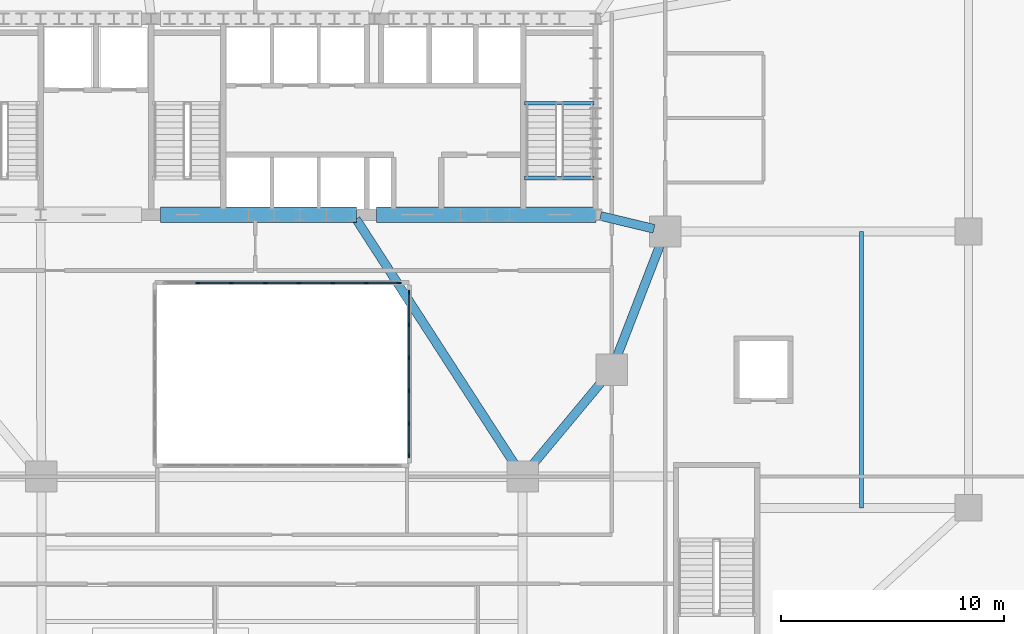
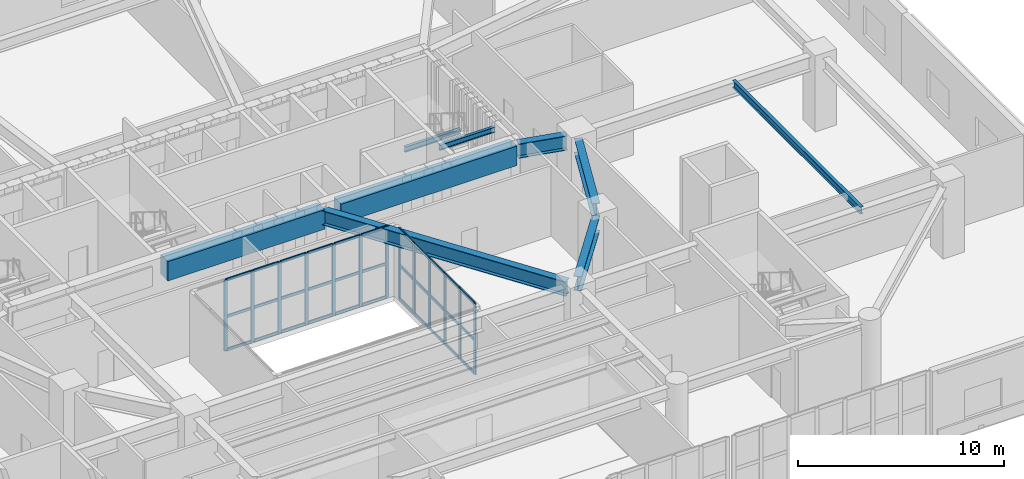
# One storey, part 7 of 25: 46 members, 9 beams, 2 elements without a shape of their own.
"""IFC4 building model written with IfcOpenShell, lengths in metres."""

from ifc_helpers import new_model, si_unit, direction, frame, origin, origin_2d, place, context, subcontext, project, spatial, rectangle, i_section, extrude, material, material_profile, profile_set, type_object, element, aggregate, save


model = new_model("IFC4")

# Units and contexts
model_context = context("Model", 3, precision=1e-05, world=origin(), true_north=direction((0.0, 1.0)))
body_context = subcontext(model_context, "Body", "Model", "MODEL_VIEW")
ifc_project = project(units=[si_unit("LENGTHUNIT", "METRE"), si_unit("AREAUNIT", "SQUARE_METRE"), si_unit("VOLUMEUNIT", "CUBIC_METRE"), si_unit("PLANEANGLEUNIT", "RADIAN"), si_unit("MASSUNIT", "GRAM", prefix="KILO")], contexts=[model_context])

# Site, building, storey
site_placement = place(None, origin())
site = spatial("IfcSite", under=ifc_project, at=site_placement, CompositionType="ELEMENT")
building_placement = place(site_placement, origin())
building = spatial("IfcBuilding", under=site, at=building_placement, Name="Haldorwick Loom Tower", CompositionType="ELEMENT")
storey_placement = place(building_placement, frame((0.0, 0.0, 6.0)))
storey = spatial("IfcBuildingStorey", under=building, at=storey_placement, Name="L01", CompositionType="ELEMENT", Elevation=6.0)

# Curtain wall, members
ifc_material_1 = material(Name="Thermally Broken Anodized Aluminium Curtain Wall Framing", Category="aluminium")
curtain_wall_type = type_object("IfcCurtainWallType", Name="ARC-CW-03", PredefinedType="NOTDEFINED", material=ifc_material_1)
curtain_wall_1_placement = place(storey_placement, origin())
curtain_wall_1 = element("IfcCurtainWall", 1, at=curtain_wall_1_placement, inside=storey, type_object=curtain_wall_type, Name="L01 Atrium Glazed Screen N", PredefinedType="NOTDEFINED")
ifc_material_profile_1 = material_profile(ifc_material_1, rectangle(XDim=0.06591796875, YDim=0.18505859375, at=origin_2d()), Name="ALU_MUL_66X185", Category="aluminium")
ifc_profile_set_1 = profile_set([ifc_material_profile_1], Name="Thermally Broken Anodized Aluminium Curtain Wall Framing")
member_type_1 = type_object("IfcMemberType", Name="ARC-CWM-03", PredefinedType="MULLION", material=ifc_profile_set_1)
member_1_placement = place(storey_placement, frame((32.21435546875, 23.699951171875, 0.0), z_axis=(0.0, 0.0, 1.0), x_axis=(0.0, 1.0, 0.0)))
member_1 = element("IfcMember", 2, at=member_1_placement, type_object=member_type_1, Name="CW-03 mullion 2", PredefinedType="MULLION", context=body_context, shape_type="SweptSolid", body=[
    extrude(rectangle(XDim=0.06591796875, YDim=0.18505859375, at=origin_2d()), origin(), (0.0, 0.0, 1.0), 4.199951171875),
])
member_2_placement = place(storey_placement, frame((33.728515625, 23.699951171875, 0.0), z_axis=(0.0, 0.0, 1.0), x_axis=(0.0, 1.0, 0.0)))
member_2 = element("IfcMember", 3, at=member_2_placement, type_object=member_type_1, Name="CW-03 mullion 3", PredefinedType="MULLION", context=body_context, shape_type="SweptSolid", body=[
    extrude(rectangle(XDim=0.06591796875, YDim=0.18505859375, at=origin_2d()), origin(), (0.0, 0.0, 1.0), 4.199951171875),
])
member_3_placement = place(storey_placement, frame((35.242919921875, 23.699951171875, 0.0), z_axis=(0.0, 0.0, 1.0), x_axis=(0.0, 1.0, 0.0)))
member_3 = element("IfcMember", 4, at=member_3_placement, type_object=member_type_1, Name="CW-03 mullion 4", PredefinedType="MULLION", context=body_context, shape_type="SweptSolid", body=[
    extrude(rectangle(XDim=0.06591796875, YDim=0.18505859375, at=origin_2d()), origin(), (0.0, 0.0, 1.0), 4.199951171875),
])
member_4_placement = place(storey_placement, frame((36.757080078125, 23.699951171875, 0.0), z_axis=(0.0, 0.0, 1.0), x_axis=(0.0, 1.0, 0.0)))
member_4 = element("IfcMember", 5, at=member_4_placement, type_object=member_type_1, Name="CW-03 mullion 5", PredefinedType="MULLION", context=body_context, shape_type="SweptSolid", body=[
    extrude(rectangle(XDim=0.06591796875, YDim=0.18505859375, at=origin_2d()), origin(), (0.0, 0.0, 1.0), 4.199951171875),
])
member_5_placement = place(storey_placement, frame((38.271484375, 23.699951171875, 0.0), z_axis=(0.0, 0.0, 1.0), x_axis=(0.0, 1.0, 0.0)))
member_5 = element("IfcMember", 6, at=member_5_placement, type_object=member_type_1, Name="CW-03 mullion 6", PredefinedType="MULLION", context=body_context, shape_type="SweptSolid", body=[
    extrude(rectangle(XDim=0.06591796875, YDim=0.18505859375, at=origin_2d()), origin(), (0.0, 0.0, 1.0), 4.199951171875),
])
member_6_placement = place(storey_placement, frame((39.78564453125, 23.699951171875, 0.0), z_axis=(0.0, 0.0, 1.0), x_axis=(0.0, 1.0, 0.0)))
member_6 = element("IfcMember", 7, at=member_6_placement, type_object=member_type_1, Name="CW-03 mullion 7", PredefinedType="MULLION", context=body_context, shape_type="SweptSolid", body=[
    extrude(rectangle(XDim=0.06591796875, YDim=0.18505859375, at=origin_2d()), origin(), (0.0, 0.0, 1.0), 4.199951171875),
])
member_7_placement = place(storey_placement, frame((41.26708984375, 23.699951171875, 0.0), z_axis=(0.0, 0.0, 1.0), x_axis=(0.0, 1.0, 0.0)))
member_7 = element("IfcMember", 8, at=member_7_placement, type_object=member_type_1, Name="CW-03 mullion 8", PredefinedType="MULLION", context=body_context, shape_type="SweptSolid", body=[
    extrude(rectangle(XDim=0.06591796875, YDim=0.18505859375, at=origin_2d()), origin(), (0.0, 0.0, 1.0), 4.199951171875),
])

curtain_wall_2_placement = place(storey_placement, origin())
curtain_wall_2 = element("IfcCurtainWall", 9, at=curtain_wall_2_placement, inside=storey, type_object=curtain_wall_type, Name="L01 Atrium Glazed Screen E", PredefinedType="NOTDEFINED")
member_8_placement = place(storey_placement, frame((41.699951171875, 23.26708984375, 0.0), z_axis=(0.0, 0.0, 1.0), x_axis=(1.0, 0.0, 0.0)))
member_8 = element("IfcMember", 10, at=member_8_placement, type_object=member_type_1, Name="CW-03 mullion 1", PredefinedType="MULLION", context=body_context, shape_type="SweptSolid", body=[
    extrude(rectangle(XDim=0.06591796875, YDim=0.18505859375, at=origin_2d()), origin(), (0.0, 0.0, 1.0), 4.199951171875),
])
member_9_placement = place(storey_placement, frame((41.699951171875, 21.820068359375, 0.0), z_axis=(0.0, 0.0, 1.0), x_axis=(1.0, 0.0, 0.0)))
member_9 = element("IfcMember", 11, at=member_9_placement, type_object=member_type_1, Name="CW-03 mullion 2", PredefinedType="MULLION", context=body_context, shape_type="SweptSolid", body=[
    extrude(rectangle(XDim=0.06591796875, YDim=0.18505859375, at=origin_2d()), origin(), (0.0, 0.0, 1.0), 4.199951171875),
])
member_10_placement = place(storey_placement, frame((41.699951171875, 20.340087890625, 0.0), z_axis=(0.0, 0.0, 1.0), x_axis=(1.0, 0.0, 0.0)))
member_10 = element("IfcMember", 12, at=member_10_placement, type_object=member_type_1, Name="CW-03 mullion 3", PredefinedType="MULLION", context=body_context, shape_type="SweptSolid", body=[
    extrude(rectangle(XDim=0.06591796875, YDim=0.18505859375, at=origin_2d()), origin(), (0.0, 0.0, 1.0), 4.199951171875),
])
member_11_placement = place(storey_placement, frame((41.699951171875, 18.860107421875, 0.0), z_axis=(0.0, 0.0, 1.0), x_axis=(1.0, 0.0, 0.0)))
member_11 = element("IfcMember", 13, at=member_11_placement, type_object=member_type_1, Name="CW-03 mullion 4", PredefinedType="MULLION", context=body_context, shape_type="SweptSolid", body=[
    extrude(rectangle(XDim=0.06591796875, YDim=0.18505859375, at=origin_2d()), origin(), (0.0, 0.0, 1.0), 4.199951171875),
])
member_12_placement = place(storey_placement, frame((41.699951171875, 17.3798828125, 0.0), z_axis=(0.0, 0.0, 1.0), x_axis=(1.0, 0.0, 0.0)))
member_12 = element("IfcMember", 14, at=member_12_placement, type_object=member_type_1, Name="CW-03 mullion 5", PredefinedType="MULLION", context=body_context, shape_type="SweptSolid", body=[
    extrude(rectangle(XDim=0.06591796875, YDim=0.18505859375, at=origin_2d()), origin(), (0.0, 0.0, 1.0), 4.199951171875),
])
member_13_placement = place(storey_placement, frame((41.699951171875, 15.93310546875, 0.0), z_axis=(0.0, 0.0, 1.0), x_axis=(1.0, 0.0, 0.0)))
member_13 = element("IfcMember", 15, at=member_13_placement, type_object=member_type_1, Name="CW-03 mullion 6", PredefinedType="MULLION", context=body_context, shape_type="SweptSolid", body=[
    extrude(rectangle(XDim=0.06591796875, YDim=0.18505859375, at=origin_2d()), origin(), (0.0, 0.0, 1.0), 4.199951171875),
])

# Member
ifc_material_profile_2 = material_profile(ifc_material_1, rectangle(XDim=0.06591796875, YDim=0.1650390625, at=origin_2d()), Name="ALU_TRN_66X165", Category="aluminium")
ifc_profile_set_2 = profile_set([ifc_material_profile_2], Name="Thermally Broken Anodized Aluminium Curtain Wall Framing")
member_type_2 = type_object("IfcMemberType", Name="ARC-CWT-03", PredefinedType="USERDEFINED", material=ifc_profile_set_2)
member_14_placement = place(storey_placement, frame((32.247314453125, 23.699951171875, 0.032958984375), z_axis=(1.0, 0.0, 0.0), x_axis=(0.0, 1.0, 0.0)))
member_14 = element("IfcMember", 16, at=member_14_placement, type_object=member_type_2, Name="CW-03 transom 2.1", ObjectType="TRANSOM", PredefinedType="USERDEFINED", context=body_context, shape_type="SweptSolid", body=[
    extrude(rectangle(XDim=0.06591796875, YDim=0.1650390625, at=origin_2d()), origin(), (0.0, 0.0, 1.0), 1.4482421875),
])

member_15_placement = place(storey_placement, frame((32.247314453125, 23.699951171875, 2.0), z_axis=(1.0, 0.0, 0.0), x_axis=(0.0, 1.0, 0.0)))
member_15 = element("IfcMember", 17, at=member_15_placement, type_object=member_type_2, Name="CW-03 transom 2.2", ObjectType="TRANSOM", PredefinedType="USERDEFINED", context=body_context, shape_type="SweptSolid", body=[
    extrude(rectangle(XDim=0.06591796875, YDim=0.1650390625, at=origin_2d()), origin(), (0.0, 0.0, 1.0), 1.4482421875),
])

member_16_placement = place(storey_placement, frame((32.247314453125, 23.699951171875, 4.1669921875), z_axis=(1.0, 0.0, 0.0), x_axis=(0.0, 1.0, 0.0)))
member_16 = element("IfcMember", 18, at=member_16_placement, type_object=member_type_2, Name="CW-03 transom 2.3", ObjectType="TRANSOM", PredefinedType="USERDEFINED", context=body_context, shape_type="SweptSolid", body=[
    extrude(rectangle(XDim=0.06591796875, YDim=0.1650390625, at=origin_2d()), origin(), (0.0, 0.0, 1.0), 1.4482421875),
])

member_17_placement = place(storey_placement, frame((33.761474609375, 23.699951171875, 0.032958984375), z_axis=(1.0, 0.0, 0.0), x_axis=(0.0, 1.0, 0.0)))
member_17 = element("IfcMember", 19, at=member_17_placement, type_object=member_type_2, Name="CW-03 transom 3.1", ObjectType="TRANSOM", PredefinedType="USERDEFINED", context=body_context, shape_type="SweptSolid", body=[
    extrude(rectangle(XDim=0.06591796875, YDim=0.1650390625, at=origin_2d()), origin(), (0.0, 0.0, 1.0), 1.448486328125),
])

member_18_placement = place(storey_placement, frame((33.761474609375, 23.699951171875, 2.0), z_axis=(1.0, 0.0, 0.0), x_axis=(0.0, 1.0, 0.0)))
member_18 = element("IfcMember", 20, at=member_18_placement, type_object=member_type_2, Name="CW-03 transom 3.2", ObjectType="TRANSOM", PredefinedType="USERDEFINED", context=body_context, shape_type="SweptSolid", body=[
    extrude(rectangle(XDim=0.06591796875, YDim=0.1650390625, at=origin_2d()), origin(), (0.0, 0.0, 1.0), 1.448486328125),
])

member_19_placement = place(storey_placement, frame((33.761474609375, 23.699951171875, 4.1669921875), z_axis=(1.0, 0.0, 0.0), x_axis=(0.0, 1.0, 0.0)))
member_19 = element("IfcMember", 21, at=member_19_placement, type_object=member_type_2, Name="CW-03 transom 3.3", ObjectType="TRANSOM", PredefinedType="USERDEFINED", context=body_context, shape_type="SweptSolid", body=[
    extrude(rectangle(XDim=0.06591796875, YDim=0.1650390625, at=origin_2d()), origin(), (0.0, 0.0, 1.0), 1.448486328125),
])

member_20_placement = place(storey_placement, frame((35.27587890625, 23.699951171875, 0.032958984375), z_axis=(1.0, 0.0, 0.0), x_axis=(0.0, 1.0, 0.0)))
member_20 = element("IfcMember", 22, at=member_20_placement, type_object=member_type_2, Name="CW-03 transom 4.1", ObjectType="TRANSOM", PredefinedType="USERDEFINED", context=body_context, shape_type="SweptSolid", body=[
    extrude(rectangle(XDim=0.06591796875, YDim=0.1650390625, at=origin_2d()), origin(), (0.0, 0.0, 1.0), 1.4482421875),
])

member_21_placement = place(storey_placement, frame((35.27587890625, 23.699951171875, 2.0), z_axis=(1.0, 0.0, 0.0), x_axis=(0.0, 1.0, 0.0)))
member_21 = element("IfcMember", 23, at=member_21_placement, type_object=member_type_2, Name="CW-03 transom 4.2", ObjectType="TRANSOM", PredefinedType="USERDEFINED", context=body_context, shape_type="SweptSolid", body=[
    extrude(rectangle(XDim=0.06591796875, YDim=0.1650390625, at=origin_2d()), origin(), (0.0, 0.0, 1.0), 1.4482421875),
])

member_22_placement = place(storey_placement, frame((35.27587890625, 23.699951171875, 4.1669921875), z_axis=(1.0, 0.0, 0.0), x_axis=(0.0, 1.0, 0.0)))
member_22 = element("IfcMember", 24, at=member_22_placement, type_object=member_type_2, Name="CW-03 transom 4.3", ObjectType="TRANSOM", PredefinedType="USERDEFINED", context=body_context, shape_type="SweptSolid", body=[
    extrude(rectangle(XDim=0.06591796875, YDim=0.1650390625, at=origin_2d()), origin(), (0.0, 0.0, 1.0), 1.4482421875),
])

member_23_placement = place(storey_placement, frame((36.7900390625, 23.699951171875, 0.032958984375), z_axis=(1.0, 0.0, 0.0), x_axis=(0.0, 1.0, 0.0)))
member_23 = element("IfcMember", 25, at=member_23_placement, type_object=member_type_2, Name="CW-03 transom 5.1", ObjectType="TRANSOM", PredefinedType="USERDEFINED", context=body_context, shape_type="SweptSolid", body=[
    extrude(rectangle(XDim=0.06591796875, YDim=0.1650390625, at=origin_2d()), origin(), (0.0, 0.0, 1.0), 1.448486328125),
])

member_24_placement = place(storey_placement, frame((36.7900390625, 23.699951171875, 2.0), z_axis=(1.0, 0.0, 0.0), x_axis=(0.0, 1.0, 0.0)))
member_24 = element("IfcMember", 26, at=member_24_placement, type_object=member_type_2, Name="CW-03 transom 5.2", ObjectType="TRANSOM", PredefinedType="USERDEFINED", context=body_context, shape_type="SweptSolid", body=[
    extrude(rectangle(XDim=0.06591796875, YDim=0.1650390625, at=origin_2d()), origin(), (0.0, 0.0, 1.0), 1.448486328125),
])

member_25_placement = place(storey_placement, frame((36.7900390625, 23.699951171875, 4.1669921875), z_axis=(1.0, 0.0, 0.0), x_axis=(0.0, 1.0, 0.0)))
member_25 = element("IfcMember", 27, at=member_25_placement, type_object=member_type_2, Name="CW-03 transom 5.3", ObjectType="TRANSOM", PredefinedType="USERDEFINED", context=body_context, shape_type="SweptSolid", body=[
    extrude(rectangle(XDim=0.06591796875, YDim=0.1650390625, at=origin_2d()), origin(), (0.0, 0.0, 1.0), 1.448486328125),
])

member_26_placement = place(storey_placement, frame((38.304443359375, 23.699951171875, 0.032958984375), z_axis=(1.0, 0.0, 0.0), x_axis=(0.0, 1.0, 0.0)))
member_26 = element("IfcMember", 28, at=member_26_placement, type_object=member_type_2, Name="CW-03 transom 6.1", ObjectType="TRANSOM", PredefinedType="USERDEFINED", context=body_context, shape_type="SweptSolid", body=[
    extrude(rectangle(XDim=0.06591796875, YDim=0.1650390625, at=origin_2d()), origin(), (0.0, 0.0, 1.0), 1.4482421875),
])

member_27_placement = place(storey_placement, frame((38.304443359375, 23.699951171875, 2.0), z_axis=(1.0, 0.0, 0.0), x_axis=(0.0, 1.0, 0.0)))
member_27 = element("IfcMember", 29, at=member_27_placement, type_object=member_type_2, Name="CW-03 transom 6.2", ObjectType="TRANSOM", PredefinedType="USERDEFINED", context=body_context, shape_type="SweptSolid", body=[
    extrude(rectangle(XDim=0.06591796875, YDim=0.1650390625, at=origin_2d()), origin(), (0.0, 0.0, 1.0), 1.4482421875),
])

member_28_placement = place(storey_placement, frame((38.304443359375, 23.699951171875, 4.1669921875), z_axis=(1.0, 0.0, 0.0), x_axis=(0.0, 1.0, 0.0)))
member_28 = element("IfcMember", 30, at=member_28_placement, type_object=member_type_2, Name="CW-03 transom 6.3", ObjectType="TRANSOM", PredefinedType="USERDEFINED", context=body_context, shape_type="SweptSolid", body=[
    extrude(rectangle(XDim=0.06591796875, YDim=0.1650390625, at=origin_2d()), origin(), (0.0, 0.0, 1.0), 1.4482421875),
])

member_29_placement = place(storey_placement, frame((39.818603515625, 23.699951171875, 0.032958984375), z_axis=(1.0, 0.0, 0.0), x_axis=(0.0, 1.0, 0.0)))
member_29 = element("IfcMember", 31, at=member_29_placement, type_object=member_type_2, Name="CW-03 transom 7.1", ObjectType="TRANSOM", PredefinedType="USERDEFINED", context=body_context, shape_type="SweptSolid", body=[
    extrude(rectangle(XDim=0.06591796875, YDim=0.1650390625, at=origin_2d()), origin(), (0.0, 0.0, 1.0), 1.415283203125),
])

member_30_placement = place(storey_placement, frame((39.818603515625, 23.699951171875, 2.0), z_axis=(1.0, 0.0, 0.0), x_axis=(0.0, 1.0, 0.0)))
member_30 = element("IfcMember", 32, at=member_30_placement, type_object=member_type_2, Name="CW-03 transom 7.2", ObjectType="TRANSOM", PredefinedType="USERDEFINED", context=body_context, shape_type="SweptSolid", body=[
    extrude(rectangle(XDim=0.06591796875, YDim=0.1650390625, at=origin_2d()), origin(), (0.0, 0.0, 1.0), 1.415283203125),
])

member_31_placement = place(storey_placement, frame((39.818603515625, 23.699951171875, 4.1669921875), z_axis=(1.0, 0.0, 0.0), x_axis=(0.0, 1.0, 0.0)))
member_31 = element("IfcMember", 33, at=member_31_placement, type_object=member_type_2, Name="CW-03 transom 7.3", ObjectType="TRANSOM", PredefinedType="USERDEFINED", context=body_context, shape_type="SweptSolid", body=[
    extrude(rectangle(XDim=0.06591796875, YDim=0.1650390625, at=origin_2d()), origin(), (0.0, 0.0, 1.0), 1.415283203125),
])

aggregate(curtain_wall_1, [member_1, member_2, member_3, member_4, member_5, member_6, member_7, member_14, member_15, member_16, member_17, member_18, member_19, member_20, member_21, member_22, member_23, member_24, member_25, member_26, member_27, member_28, member_29, member_30, member_31])

member_32_placement = place(storey_placement, frame((41.699951171875, 23.23388671875, 0.032958984375), z_axis=(0.0, -1.0, 0.0), x_axis=(1.0, 0.0, 0.0)))
member_32 = element("IfcMember", 34, at=member_32_placement, type_object=member_type_2, Name="CW-03 transom 1.1", ObjectType="TRANSOM", PredefinedType="USERDEFINED", context=body_context, shape_type="SweptSolid", body=[
    extrude(rectangle(XDim=0.06591796875, YDim=0.1650390625, at=origin_2d()), origin(), (0.0, 0.0, 1.0), 1.380859375),
])

member_33_placement = place(storey_placement, frame((41.699951171875, 23.23388671875, 2.0), z_axis=(0.0, -1.0, 0.0), x_axis=(1.0, 0.0, 0.0)))
member_33 = element("IfcMember", 35, at=member_33_placement, type_object=member_type_2, Name="CW-03 transom 1.2", ObjectType="TRANSOM", PredefinedType="USERDEFINED", context=body_context, shape_type="SweptSolid", body=[
    extrude(rectangle(XDim=0.06591796875, YDim=0.1650390625, at=origin_2d()), origin(), (0.0, 0.0, 1.0), 1.380859375),
])

member_34_placement = place(storey_placement, frame((41.699951171875, 23.23388671875, 4.1669921875), z_axis=(0.0, -1.0, 0.0), x_axis=(1.0, 0.0, 0.0)))
member_34 = element("IfcMember", 36, at=member_34_placement, type_object=member_type_2, Name="CW-03 transom 1.3", ObjectType="TRANSOM", PredefinedType="USERDEFINED", context=body_context, shape_type="SweptSolid", body=[
    extrude(rectangle(XDim=0.06591796875, YDim=0.1650390625, at=origin_2d()), origin(), (0.0, 0.0, 1.0), 1.380859375),
])

member_35_placement = place(storey_placement, frame((41.699951171875, 21.787109375, 0.032958984375), z_axis=(0.0, -1.0, 0.0), x_axis=(1.0, 0.0, 0.0)))
member_35 = element("IfcMember", 37, at=member_35_placement, type_object=member_type_2, Name="CW-03 transom 2.1", ObjectType="TRANSOM", PredefinedType="USERDEFINED", context=body_context, shape_type="SweptSolid", body=[
    extrude(rectangle(XDim=0.06591796875, YDim=0.1650390625, at=origin_2d()), origin(), (0.0, 0.0, 1.0), 1.4140625),
])

member_36_placement = place(storey_placement, frame((41.699951171875, 21.787109375, 2.0), z_axis=(0.0, -1.0, 0.0), x_axis=(1.0, 0.0, 0.0)))
member_36 = element("IfcMember", 38, at=member_36_placement, type_object=member_type_2, Name="CW-03 transom 2.2", ObjectType="TRANSOM", PredefinedType="USERDEFINED", context=body_context, shape_type="SweptSolid", body=[
    extrude(rectangle(XDim=0.06591796875, YDim=0.1650390625, at=origin_2d()), origin(), (0.0, 0.0, 1.0), 1.4140625),
])

member_37_placement = place(storey_placement, frame((41.699951171875, 21.787109375, 4.1669921875), z_axis=(0.0, -1.0, 0.0), x_axis=(1.0, 0.0, 0.0)))
member_37 = element("IfcMember", 39, at=member_37_placement, type_object=member_type_2, Name="CW-03 transom 2.3", ObjectType="TRANSOM", PredefinedType="USERDEFINED", context=body_context, shape_type="SweptSolid", body=[
    extrude(rectangle(XDim=0.06591796875, YDim=0.1650390625, at=origin_2d()), origin(), (0.0, 0.0, 1.0), 1.4140625),
])

member_38_placement = place(storey_placement, frame((41.699951171875, 20.306884765625, 0.032958984375), z_axis=(0.0, -1.0, 0.0), x_axis=(1.0, 0.0, 0.0)))
member_38 = element("IfcMember", 40, at=member_38_placement, type_object=member_type_2, Name="CW-03 transom 3.1", ObjectType="TRANSOM", PredefinedType="USERDEFINED", context=body_context, shape_type="SweptSolid", body=[
    extrude(rectangle(XDim=0.06591796875, YDim=0.1650390625, at=origin_2d()), origin(), (0.0, 0.0, 1.0), 1.413818359375),
])

member_39_placement = place(storey_placement, frame((41.699951171875, 20.306884765625, 2.0), z_axis=(0.0, -1.0, 0.0), x_axis=(1.0, 0.0, 0.0)))
member_39 = element("IfcMember", 41, at=member_39_placement, type_object=member_type_2, Name="CW-03 transom 3.2", ObjectType="TRANSOM", PredefinedType="USERDEFINED", context=body_context, shape_type="SweptSolid", body=[
    extrude(rectangle(XDim=0.06591796875, YDim=0.1650390625, at=origin_2d()), origin(), (0.0, 0.0, 1.0), 1.413818359375),
])

member_40_placement = place(storey_placement, frame((41.699951171875, 20.306884765625, 4.1669921875), z_axis=(0.0, -1.0, 0.0), x_axis=(1.0, 0.0, 0.0)))
member_40 = element("IfcMember", 42, at=member_40_placement, type_object=member_type_2, Name="CW-03 transom 3.3", ObjectType="TRANSOM", PredefinedType="USERDEFINED", context=body_context, shape_type="SweptSolid", body=[
    extrude(rectangle(XDim=0.06591796875, YDim=0.1650390625, at=origin_2d()), origin(), (0.0, 0.0, 1.0), 1.413818359375),
])

member_41_placement = place(storey_placement, frame((41.699951171875, 18.826904296875, 0.032958984375), z_axis=(0.0, -1.0, 0.0), x_axis=(1.0, 0.0, 0.0)))
member_41 = element("IfcMember", 43, at=member_41_placement, type_object=member_type_2, Name="CW-03 transom 4.1", ObjectType="TRANSOM", PredefinedType="USERDEFINED", context=body_context, shape_type="SweptSolid", body=[
    extrude(rectangle(XDim=0.06591796875, YDim=0.1650390625, at=origin_2d()), origin(), (0.0, 0.0, 1.0), 1.413818359375),
])

member_42_placement = place(storey_placement, frame((41.699951171875, 18.826904296875, 2.0), z_axis=(0.0, -1.0, 0.0), x_axis=(1.0, 0.0, 0.0)))
member_42 = element("IfcMember", 44, at=member_42_placement, type_object=member_type_2, Name="CW-03 transom 4.2", ObjectType="TRANSOM", PredefinedType="USERDEFINED", context=body_context, shape_type="SweptSolid", body=[
    extrude(rectangle(XDim=0.06591796875, YDim=0.1650390625, at=origin_2d()), origin(), (0.0, 0.0, 1.0), 1.413818359375),
])

member_43_placement = place(storey_placement, frame((41.699951171875, 18.826904296875, 4.1669921875), z_axis=(0.0, -1.0, 0.0), x_axis=(1.0, 0.0, 0.0)))
member_43 = element("IfcMember", 45, at=member_43_placement, type_object=member_type_2, Name="CW-03 transom 4.3", ObjectType="TRANSOM", PredefinedType="USERDEFINED", context=body_context, shape_type="SweptSolid", body=[
    extrude(rectangle(XDim=0.06591796875, YDim=0.1650390625, at=origin_2d()), origin(), (0.0, 0.0, 1.0), 1.413818359375),
])

member_44_placement = place(storey_placement, frame((41.699951171875, 17.346923828125, 0.032958984375), z_axis=(0.0, -1.0, 0.0), x_axis=(1.0, 0.0, 0.0)))
member_44 = element("IfcMember", 46, at=member_44_placement, type_object=member_type_2, Name="CW-03 transom 5.1", ObjectType="TRANSOM", PredefinedType="USERDEFINED", context=body_context, shape_type="SweptSolid", body=[
    extrude(rectangle(XDim=0.06591796875, YDim=0.1650390625, at=origin_2d()), origin(), (0.0, 0.0, 1.0), 1.380859375),
])

member_45_placement = place(storey_placement, frame((41.699951171875, 17.346923828125, 2.0), z_axis=(0.0, -1.0, 0.0), x_axis=(1.0, 0.0, 0.0)))
member_45 = element("IfcMember", 47, at=member_45_placement, type_object=member_type_2, Name="CW-03 transom 5.2", ObjectType="TRANSOM", PredefinedType="USERDEFINED", context=body_context, shape_type="SweptSolid", body=[
    extrude(rectangle(XDim=0.06591796875, YDim=0.1650390625, at=origin_2d()), origin(), (0.0, 0.0, 1.0), 1.380859375),
])

member_46_placement = place(storey_placement, frame((41.699951171875, 17.346923828125, 4.1669921875), z_axis=(0.0, -1.0, 0.0), x_axis=(1.0, 0.0, 0.0)))
member_46 = element("IfcMember", 48, at=member_46_placement, type_object=member_type_2, Name="CW-03 transom 5.3", ObjectType="TRANSOM", PredefinedType="USERDEFINED", context=body_context, shape_type="SweptSolid", body=[
    extrude(rectangle(XDim=0.06591796875, YDim=0.1650390625, at=origin_2d()), origin(), (0.0, 0.0, 1.0), 1.380859375),
])

aggregate(curtain_wall_2, [member_8, member_9, member_10, member_11, member_12, member_13, member_32, member_33, member_34, member_35, member_36, member_37, member_38, member_39, member_40, member_41, member_42, member_43, member_44, member_45, member_46])

# Beams
ifc_material_2 = material(Name="Concrete C60 (60 MPa)", Category="concrete")
ifc_material_profile_3 = material_profile(ifc_material_2, rectangle(XDim=0.699951171875, YDim=1.14990234375, at=origin_2d()), Name="RC700X1150", Category="concrete")
ifc_profile_set_3 = profile_set([ifc_material_profile_3], Name="Concrete C60 (60 MPa)")
beam_type_1 = type_object("IfcBeamType", Name="STR-BM-CB1150", PredefinedType="LINTEL", material=ifc_profile_set_3)
beam_1_placement = place(storey_placement, frame((30.550048828125, 26.75, 3.625), z_axis=(1.0, 0.0, 0.0), x_axis=(0.0, 1.0, 0.0)))
element("IfcBeam", 49, at=beam_1_placement, inside=storey, type_object=beam_type_1, Name="L01 Core Coupling Beam CB-S2", PredefinedType="LINTEL", context=body_context, shape_type="SweptSolid", body=[
    extrude(rectangle(XDim=0.699951171875, YDim=1.14990234375, at=origin_2d()), origin(), (0.0, 0.0, 1.0), 8.800048828125),
])
beam_2_placement = place(storey_placement, frame((40.25, 26.75, 3.625), z_axis=(1.0, 0.0, 0.0), x_axis=(0.0, 1.0, 0.0)))
element("IfcBeam", 50, at=beam_2_placement, inside=storey, type_object=beam_type_1, Name="L01 Core Coupling Beam CB-S3", PredefinedType="LINTEL", context=body_context, shape_type="SweptSolid", body=[
    extrude(rectangle(XDim=0.699951171875, YDim=1.14990234375, at=origin_2d()), origin(), (0.0, 0.0, 1.0), 9.85009765625),
])
ifc_material_3 = material(Name="Steel CSA G40.21 350W", Category="steel")
ifc_material_profile_4 = material_profile(ifc_material_3, i_section(OverallWidth=0.179931640625, OverallDepth=0.4130859375, WebThickness=0.009765625, FlangeThickness=0.01611328125, at=origin_2d()), Name="W410X74", Category="steel")
ifc_profile_set_4 = profile_set([ifc_material_profile_4], Name="Steel CSA G40.21 350W")
beam_type_2 = type_object("IfcBeamType", Name="STR-BM-J410", PredefinedType="JOIST", material=ifc_profile_set_4)
beam_3_placement = place(storey_placement, frame((62.0, 13.60009765625, 3.993408203125), z_axis=(0.0, 1.0, 0.0), x_axis=(-1.0, 0.0, 0.0)))
element("IfcBeam", 51, at=beam_3_placement, inside=storey, type_object=beam_type_2, Name="L01 Podium Secondary Joist PJ-E1", PredefinedType="JOIST", context=body_context, shape_type="SweptSolid", body=[
    extrude(i_section(OverallWidth=0.179931640625, OverallDepth=0.4130859375, WebThickness=0.009765625, FlangeThickness=0.01611328125, at=origin_2d()), origin(), (0.0, 0.0, 1.0), 12.39990234375),
])
ifc_material_profile_5 = material_profile(ifc_material_3, i_section(OverallWidth=0.166015625, OverallDepth=0.31298828125, WebThickness=0.006591796875, FlangeThickness=0.01123046875, at=origin_2d()), Name="W310X45", Category="steel")
ifc_profile_set_5 = profile_set([ifc_material_profile_5], Name="Steel CSA G40.21 350W")
beam_type_3 = type_object("IfcBeamType", Name="STR-BM-STRM", PredefinedType="BEAM", material=ifc_profile_set_5)
for number, where, z_axis, x_axis, name in (
    (52, (46.889892578125, 28.39990234375, 4.04345703125), (1.0, 0.0, 0.0), (0.0, 1.0, 0.0), "L01 Stair ST-02 Landing Edge Trimmer"),
    (53, (46.889892578125, 31.760009765625, 1.8935546875), (1.0, 0.0, 0.0), (0.0, 1.0, 0.0), "L01 Stair ST-02 Half-Landing Trimmer 1"),
):
    element("IfcBeam", number, at=place(storey_placement, frame(where, z_axis=z_axis, x_axis=x_axis)), inside=storey, type_object=beam_type_3, Name=name, PredefinedType="BEAM", context=body_context, shape_type="SweptSolid", body=[
        extrude(i_section(OverallWidth=0.166015625, OverallDepth=0.31298828125, WebThickness=0.006591796875, FlangeThickness=0.01123046875, at=origin_2d()), origin(), (0.0, 0.0, 1.0), 3.1201171875),
    ])
ifc_material_profile_6 = material_profile(ifc_material_3, i_section(OverallWidth=0.39990234375, OverallDepth=0.85498046875, WebThickness=0.018310546875, FlangeThickness=0.029296875, at=origin_2d()), Name="W840X299", Category="steel")
ifc_profile_set_6 = profile_set([ifc_material_profile_6], Name="Steel CSA G40.21 350W")
beam_type_4 = type_object("IfcBeamType", Name="STR-BM-W840", PredefinedType="BEAM", material=ifc_profile_set_6)
beam_4_placement = place(storey_placement, frame((50.288818359375, 26.697509765625, 3.7724609375), z_axis=(0.97247055837, -0.233025777764, 0.0), x_axis=(0.233025777764, 0.97247055837, 0.0)))
element("IfcBeam", 54, at=beam_4_placement, inside=storey, type_object=beam_type_4, Name="L01 Podium Inner Girder INE-1", PredefinedType="BEAM", context=body_context, shape_type="SweptSolid", body=[
    extrude(i_section(OverallWidth=0.39990234375, OverallDepth=0.85498046875, WebThickness=0.018310546875, FlangeThickness=0.029296875, at=origin_2d()), origin(), (0.0, 0.0, 1.0), 2.4736328125),
])
beam_5_placement = place(storey_placement, frame((53.01220703125, 25.51513671875, 3.7724609375), z_axis=(-0.360964792353, -0.93257944363, 0.0), x_axis=(0.93257944363, -0.360964792353, 0.0)))
element("IfcBeam", 55, at=beam_5_placement, inside=storey, type_object=beam_type_4, Name="L01 Podium Inner Girder INE-2", PredefinedType="BEAM", context=body_context, shape_type="SweptSolid", body=[
    extrude(i_section(OverallWidth=0.39990234375, OverallDepth=0.85498046875, WebThickness=0.018310546875, FlangeThickness=0.029296875, at=origin_2d()), origin(), (0.0, 0.0, 1.0), 5.6083984375),
])
beam_6_placement = place(storey_placement, frame((50.467041015625, 19.400390625, 3.7724609375), z_axis=(-0.640193621243, -0.768213594855, 0.0), x_axis=(0.768213594855, -0.640193621243, 0.0)))
element("IfcBeam", 56, at=beam_6_placement, inside=storey, type_object=beam_type_4, Name="L01 Podium Inner Girder INE-3", PredefinedType="BEAM", context=body_context, shape_type="SweptSolid", body=[
    extrude(i_section(OverallWidth=0.39990234375, OverallDepth=0.85498046875, WebThickness=0.018310546875, FlangeThickness=0.029296875, at=origin_2d()), origin(), (0.0, 0.0, 1.0), 5.208251953125),
])
beam_7_placement = place(storey_placement, frame((46.5556640625, 15.377685546875, 3.7724609375), z_axis=(-0.543098499406, 0.839668994273, 0.0), x_axis=(-0.839668994273, -0.543098499406, 0.0)))
element("IfcBeam", 57, at=beam_7_placement, inside=storey, type_object=beam_type_4, Name="L01 Podium Primary Girder PG-05", PredefinedType="BEAM", context=body_context, shape_type="SweptSolid", body=[
    extrude(i_section(OverallWidth=0.39990234375, OverallDepth=0.85498046875, WebThickness=0.018310546875, FlangeThickness=0.029296875, at=origin_2d()), origin(), (0.0, 0.0, 1.0), 13.31884765625),
])

save(model, "model.ifc")
